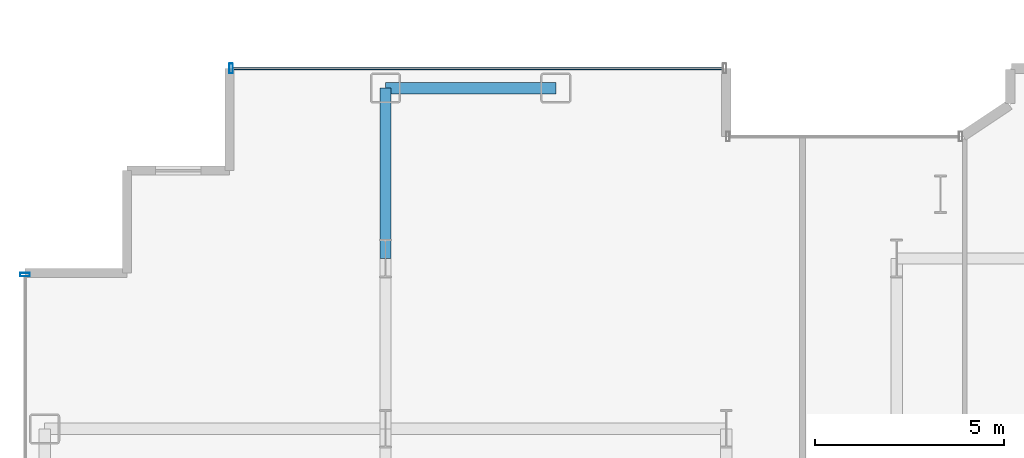
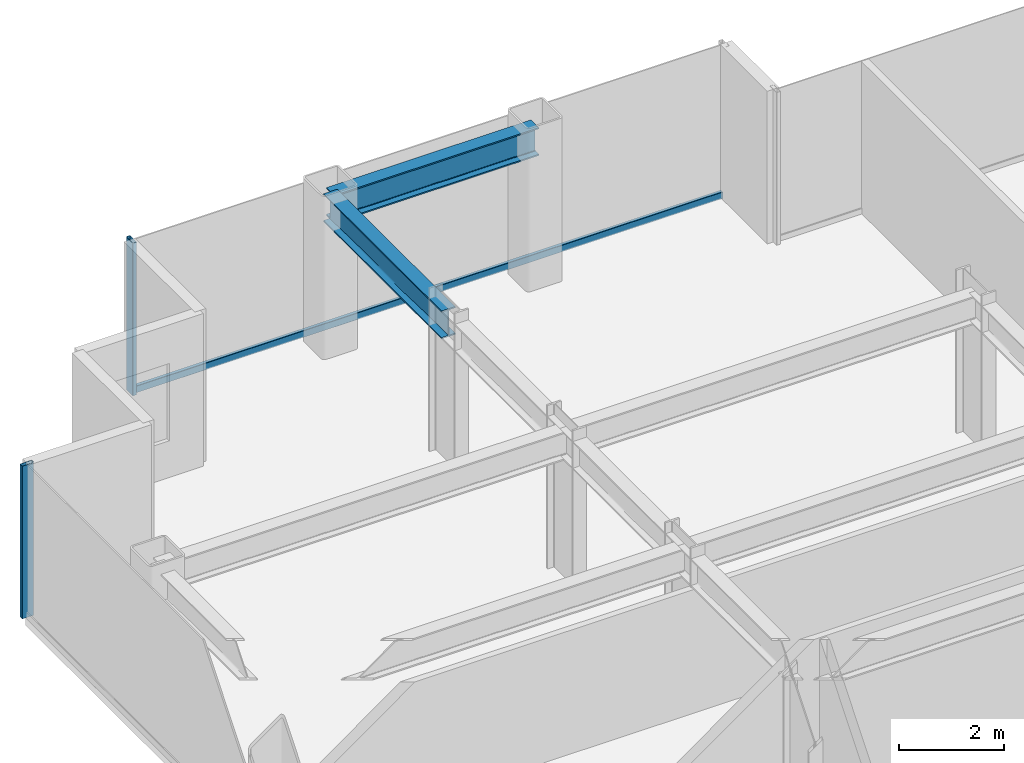
# One storey, part 9 of 26: 3 members, 2 beams, 2 elements without a shape of their own.
"""IFC4 building model written with IfcOpenShell, lengths in metres."""

from ifc_helpers import new_model, si_unit, direction, frame, origin, origin_2d, place, context, subcontext, project, spatial, hollow_rectangle, i_section, extrude, source, transform, mapped, material, layer, layer_set, material_profile, profile_set, type_object, element, aggregate, save


model = new_model("IFC4")

# Units and contexts
model_context = context("Model", 3, precision=1e-05, world=origin(), true_north=direction((0.0, 1.0)))
body_context = subcontext(model_context, "Body", "Model", "MODEL_VIEW")
ifc_project = project(units=[si_unit("LENGTHUNIT", "METRE"), si_unit("AREAUNIT", "SQUARE_METRE"), si_unit("VOLUMEUNIT", "CUBIC_METRE"), si_unit("PLANEANGLEUNIT", "RADIAN"), si_unit("MASSUNIT", "GRAM", prefix="KILO")], contexts=[model_context])

# Site, building, storey
site_placement = place(None, origin())
site = spatial("IfcSite", under=ifc_project, at=site_placement, CompositionType="ELEMENT")
building_placement = place(site_placement, origin())
building = spatial("IfcBuilding", under=site, at=building_placement, Name="Nefas-Gora Pilgrimage Tower", CompositionType="ELEMENT")
storey_placement = place(building_placement, frame((0.0, 0.0, 117.39990234375)))
storey = spatial("IfcBuildingStorey", under=building, at=storey_placement, Name="L28", CompositionType="ELEMENT", Elevation=117.39990234375)

# Beams
ifc_material_1 = material(Name="Steel S355", Category="steel")
ifc_material_profile_1 = material_profile(ifc_material_1, i_section(OverallWidth=0.300048828125, OverallDepth=0.64990234375, WebThickness=0.01611328125, FlangeThickness=0.031005859375, FilletRadius=0.027099609375, at=origin_2d()), Name="HEB 650")
ifc_profile_set_1 = profile_set([ifc_material_profile_1], Name="Steel S355")
beam_type_1 = type_object("IfcBeamType", Name="BM-SPN-HEB500", PredefinedType="SPANDREL", material=ifc_profile_set_1)
shared_shape_1 = source(origin(), body_context, "Body", "SweptSolid", [
    extrude(i_section(OverallWidth=0.300048828125, OverallDepth=0.64990234375, WebThickness=0.01611328125, FlangeThickness=0.031005859375, FilletRadius=0.027099609375, at=origin_2d()), origin(), (0.0, 0.0, 1.0), 4.5),
])
beam_1_placement = place(storey_placement, frame((-24.75, 22.5, 3.22509765625), z_axis=(1.0, 0.0, 0.0), x_axis=(0.0, 1.0, 0.0)))
element("IfcBeam", 1, at=beam_1_placement, inside=storey, type_object=beam_type_1, Name="L28 SP-02 beam", PredefinedType="SPANDREL", context=body_context, shape_type="MappedRepresentation", body=[
    mapped(shared_shape_1, transform((0.0, 0.0, 0.0), x_axis=(1.0, 0.0, 0.0), y_axis=(0.0, 1.0, 0.0), z_axis=(0.0, 0.0, 1.0), scale=1.0)),
])
ifc_material_profile_2 = material_profile(ifc_material_1, i_section(OverallWidth=0.300048828125, OverallDepth=0.64990234375, WebThickness=0.01611328125, FlangeThickness=0.031005859375, FilletRadius=0.027099609375, at=origin_2d()), Name="HEB 650")
ifc_profile_set_2 = profile_set([ifc_material_profile_2], Name="Steel S355")
beam_type_2 = type_object("IfcBeamType", Name="BM-GIR-HEB650", PredefinedType="BEAM", material=ifc_profile_set_2)
shared_shape_2 = source(origin(), body_context, "Body", "SweptSolid", [
    extrude(i_section(OverallWidth=0.300048828125, OverallDepth=0.64990234375, WebThickness=0.01611328125, FlangeThickness=0.031005859375, FilletRadius=0.027099609375, at=origin_2d()), origin(), (0.0, 0.0, 1.0), 4.5),
])
beam_2_placement = place(storey_placement, frame((-24.75, 18.0, 3.22509765625), z_axis=(0.0, 1.0, 0.0), x_axis=(-1.0, 0.0, 0.0)))
element("IfcBeam", 2, at=beam_2_placement, inside=storey, type_object=beam_type_2, Name="L28 G-03 beam", PredefinedType="BEAM", context=body_context, shape_type="MappedRepresentation", body=[
    mapped(shared_shape_2, transform((0.0, 0.0, 0.0), x_axis=(1.0, 0.0, 0.0), y_axis=(0.0, 1.0, 0.0), z_axis=(0.0, 0.0, 1.0), scale=1.0)),
])

# Curtain wall, member
ifc_material_2 = material(Name="Dark ceramic-fritted solar-control aluminium-glass curtain wall", Category="aluminium")
ifc_layer = layer(ifc_material_2, 0.219970703125)
ifc_layer_set = layer_set([ifc_layer], Name="Dark ceramic-fritted solar-control aluminium-glass curtain wall")
curtain_wall_type = type_object("IfcCurtainWallType", Name="CW-SYS-2", PredefinedType="NOTDEFINED", material=ifc_layer_set)
curtain_wall_1_placement = place(storey_placement, origin())
curtain_wall_1 = element("IfcCurtainWall", 3, at=curtain_wall_1_placement, inside=storey, type_object=curtain_wall_type, Name="L28 Unitised Curtain Wall CW2", PredefinedType="NOTDEFINED")
ifc_material_3 = material(Name="Anodised architectural aluminium", Category="aluminium")
ifc_material_profile_3 = material_profile(ifc_material_3, hollow_rectangle(XDim=0.090087890625, YDim=0.260009765625, WallThickness=0.006103515625, InnerFilletRadius=0.006103515625, OuterFilletRadius=0.011962890625, at=origin_2d()), Name="ALU MULLION 90x260")
ifc_profile_set_3 = profile_set([ifc_material_profile_3], Name="Anodised architectural aluminium")
member_type_1 = type_object("IfcMemberType", Name="CWM-MUL-2", PredefinedType="MULLION", material=ifc_profile_set_3)
shared_shape_3 = source(origin(), body_context, "Body", "SweptSolid", [
    extrude(hollow_rectangle(XDim=0.090087890625, YDim=0.260009765625, WallThickness=0.006103515625, InnerFilletRadius=0.006103515625, OuterFilletRadius=0.011962890625, at=origin_2d()), origin(), (0.0, 0.0, 1.0), 3.550048828125),
])
member_1_placement = place(storey_placement, frame((-28.824951171875, 23.02001953125, 0.0), z_axis=(0.0, 0.0, 1.0), x_axis=(-1.0, 0.0, 0.0)))
member_1 = element("IfcMember", 4, at=member_1_placement, type_object=member_type_1, Name="CW2 Mullion 2", PredefinedType="MULLION", context=body_context, shape_type="MappedRepresentation", body=[
    mapped(shared_shape_3, transform((0.0, 0.0, 0.0), x_axis=(1.0, 0.0, 0.0), y_axis=(0.0, 1.0, 0.0), z_axis=(0.0, 0.0, 1.0), scale=1.0)),
])

curtain_wall_2_placement = place(storey_placement, origin())
curtain_wall_2 = element("IfcCurtainWall", 5, at=curtain_wall_2_placement, inside=storey, type_object=curtain_wall_type, Name="L28 Unitised Curtain Wall CW2", PredefinedType="NOTDEFINED")
member_2_placement = place(storey_placement, frame((-34.27001953125, 17.574951171875, 0.0), z_axis=(0.0, 0.0, 1.0), x_axis=(0.0, -1.0, 0.0)))
member_2 = element("IfcMember", 6, at=member_2_placement, type_object=member_type_1, Name="CW2 Mullion 1", PredefinedType="MULLION", context=body_context, shape_type="MappedRepresentation", body=[
    mapped(shared_shape_3, transform((0.0, 0.0, 0.0), x_axis=(1.0, 0.0, 0.0), y_axis=(0.0, 1.0, 0.0), z_axis=(0.0, 0.0, 1.0), scale=1.0)),
])
aggregate(curtain_wall_2, [member_2])

# Member
ifc_material_profile_4 = material_profile(ifc_material_3, hollow_rectangle(XDim=0.080078125, YDim=0.159912109375, WallThickness=0.00439453125, InnerFilletRadius=0.00439453125, OuterFilletRadius=0.009033203125, at=origin_2d()), Name="ALU TRANSOM 80x160")
ifc_profile_set_4 = profile_set([ifc_material_profile_4], Name="Anodised architectural aluminium")
member_type_2 = type_object("IfcMemberType", Name="CWM-TRN-2", PredefinedType="USERDEFINED", material=ifc_profile_set_4)
shared_shape_4 = source(origin(), body_context, "Body", "SweptSolid", [
    extrude(hollow_rectangle(XDim=0.080078125, YDim=0.159912109375, WallThickness=0.00439453125, InnerFilletRadius=0.00439453125, OuterFilletRadius=0.009033203125, at=origin_2d()), origin(), (0.0, 0.0, 1.0), 12.93994140625),
])
member_3_placement = place(storey_placement, frame((-15.840087890625, 23.02001953125, 0.050048828125), z_axis=(-1.0, 0.0, 0.0), x_axis=(0.0, -1.0, 0.0)))
member_3 = element("IfcMember", 7, at=member_3_placement, type_object=member_type_2, Name="CW2 Spandrel Transom", ObjectType="TRANSOM", PredefinedType="USERDEFINED", context=body_context, shape_type="MappedRepresentation", body=[
    mapped(shared_shape_4, transform((0.0, 0.0, 0.0), x_axis=(1.0, 0.0, 0.0), y_axis=(0.0, 1.0, 0.0), z_axis=(0.0, 0.0, 1.0), scale=1.0)),
])

aggregate(curtain_wall_1, [member_1, member_3])

save(model, "model.ifc")
